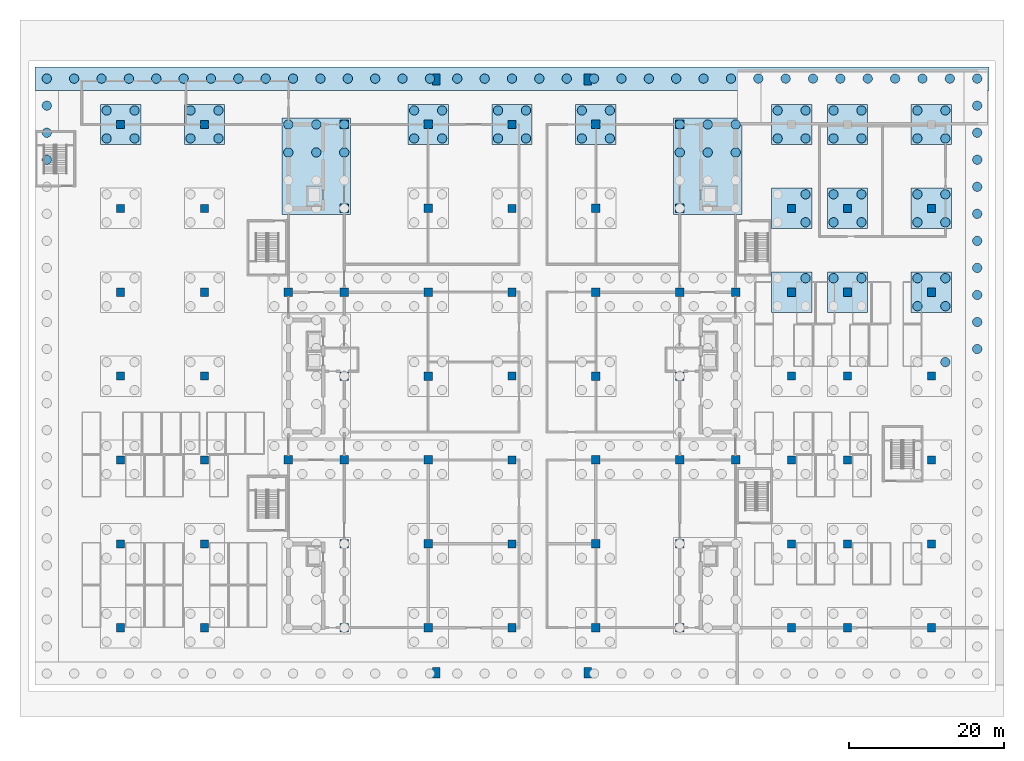
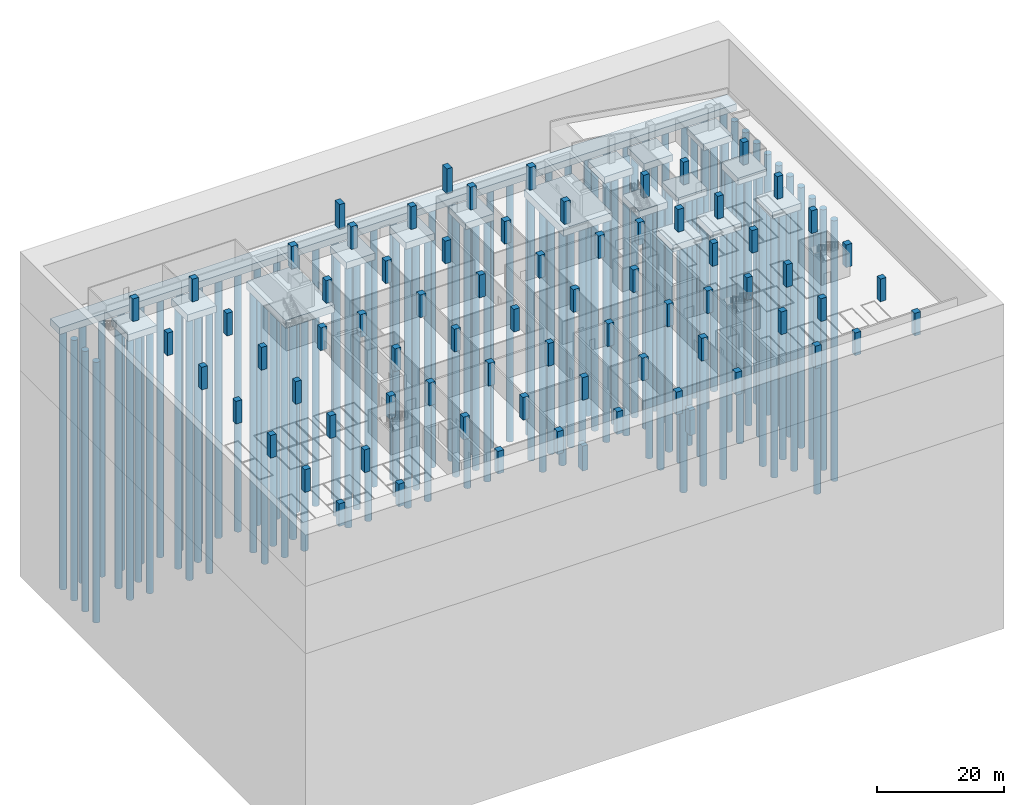
# One storey, part 3 of 18: 110 piles, 75 columns, 17 footings.
"""IFC4 building model written with IfcOpenShell, lengths in metres."""

from ifc_helpers import new_model, si_unit, direction, frame, origin, origin_2d, place, context, subcontext, project, spatial, polyline, rectangle, circle, outline, extrude, material, material_profile, profile_set, type_object, element, save


model = new_model("IFC4")

# Units and contexts
model_context = context("Model", 3, precision=1e-05, world=origin(), true_north=direction((0.0, 1.0)))
body_context = subcontext(model_context, "Body", "Model", "MODEL_VIEW")
ifc_project = project(units=[si_unit("LENGTHUNIT", "METRE"), si_unit("AREAUNIT", "SQUARE_METRE"), si_unit("VOLUMEUNIT", "CUBIC_METRE"), si_unit("PLANEANGLEUNIT", "RADIAN"), si_unit("MASSUNIT", "GRAM", prefix="KILO")], contexts=[model_context])

# Site, building, storey
site_placement = place(None, origin())
site = spatial("IfcSite", under=ifc_project, at=site_placement, CompositionType="ELEMENT")
building_placement = place(site_placement, origin())
building = spatial("IfcBuilding", under=site, at=building_placement, Name="Basin Gate Institute", CompositionType="ELEMENT")
storey_placement = place(building_placement, frame((0.0, 0.0, -9.60009765625)))
storey = spatial("IfcBuildingStorey", under=building, at=storey_placement, Name="B2", CompositionType="ELEMENT", Elevation=-9.60009765625)

# Piles
ifc_material_1 = material(Name="Concrete 35 MPa", Category="concrete")
ifc_material_profile_1 = material_profile(ifc_material_1, circle(Radius=0.60009765625, at=origin_2d()), Name="Bored pile P1 1200 dia")
ifc_profile_set_1 = profile_set([ifc_material_profile_1], Name="Concrete 35 MPa")
pile_type = type_object("IfcPileType", Name="Bored pile P1", PredefinedType="BORED", material=ifc_profile_set_1)
for number, where, z_axis, x_axis, name in (
    (1, (61.199951171875, 96.300048828125, -2.0), (0.0, 0.0, -1.0), (1.0, 0.0, 0.0), "PILE/WN/3"),
    (2, (61.199951171875, 99.89990234375, -2.0), (0.0, 0.0, -1.0), (1.0, 0.0, 0.0), "PILE/WN/4"),
    (3, (64.800048828125, 96.300048828125, -2.0), (0.0, 0.0, -1.0), (1.0, 0.0, 0.0), "PILE/WN/7"),
    (4, (64.800048828125, 99.89990234375, -2.0), (0.0, 0.0, -1.0), (1.0, 0.0, 0.0), "PILE/WN/8"),
    (5, (68.39990234375, 96.300048828125, -2.0), (0.0, 0.0, -1.0), (1.0, 0.0, 0.0), "PILE/WN/11"),
    (6, (68.39990234375, 99.89990234375, -2.0), (0.0, 0.0, -1.0), (1.0, 0.0, 0.0), "PILE/WN/12"),
    (7, (118.800048828125, 96.300048828125, -2.0), (0.0, 0.0, -1.0), (1.0, 0.0, 0.0), "PILE/EN/3"),
    (8, (118.800048828125, 99.89990234375, -2.0), (0.0, 0.0, -1.0), (1.0, 0.0, 0.0), "PILE/EN/4"),
    (9, (115.199951171875, 96.300048828125, -2.0), (0.0, 0.0, -1.0), (1.0, 0.0, 0.0), "PILE/EN/7"),
    (10, (115.199951171875, 99.89990234375, -2.0), (0.0, 0.0, -1.0), (1.0, 0.0, 0.0), "PILE/EN/8"),
    (11, (111.60009765625, 96.300048828125, -2.0), (0.0, 0.0, -1.0), (1.0, 0.0, 0.0), "PILE/EN/11"),
    (12, (111.60009765625, 99.89990234375, -2.0), (0.0, 0.0, -1.0), (1.0, 0.0, 0.0), "PILE/EN/12"),
    (13, (77.39990234375, 98.10009765625, -1.7998046875), (0.0, 0.0, -1.0), (1.0, 0.0, 0.0), "PILE/6G/1"),
    (14, (81.0, 98.10009765625, -1.7998046875), (0.0, 0.0, -1.0), (1.0, 0.0, 0.0), "PILE/6G/2"),
    (15, (77.39990234375, 101.699951171875, -1.7998046875), (0.0, 0.0, -1.0), (1.0, 0.0, 0.0), "PILE/6G/3"),
    (16, (81.0, 101.699951171875, -1.7998046875), (0.0, 0.0, -1.0), (1.0, 0.0, 0.0), "PILE/6G/4"),
    (17, (99.0, 98.10009765625, -1.7998046875), (0.0, 0.0, -1.0), (1.0, 0.0, 0.0), "PILE/7G/1"),
    (18, (102.60009765625, 98.10009765625, -1.7998046875), (0.0, 0.0, -1.0), (1.0, 0.0, 0.0), "PILE/7G/2"),
    (19, (99.0, 101.699951171875, -1.7998046875), (0.0, 0.0, -1.0), (1.0, 0.0, 0.0), "PILE/7G/3"),
    (20, (102.60009765625, 101.699951171875, -1.7998046875), (0.0, 0.0, -1.0), (1.0, 0.0, 0.0), "PILE/7G/4"),
    (21, (37.800048828125, 98.10009765625, -1.7998046875), (0.0, 0.0, -1.0), (1.0, 0.0, 0.0), "PILE/2G/1"),
    (22, (41.39990234375, 98.10009765625, -1.7998046875), (0.0, 0.0, -1.0), (1.0, 0.0, 0.0), "PILE/2G/2"),
    (23, (37.800048828125, 101.699951171875, -1.7998046875), (0.0, 0.0, -1.0), (1.0, 0.0, 0.0), "PILE/2G/3"),
    (24, (41.39990234375, 101.699951171875, -1.7998046875), (0.0, 0.0, -1.0), (1.0, 0.0, 0.0), "PILE/2G/4"),
    (25, (48.60009765625, 98.10009765625, -1.7998046875), (0.0, 0.0, -1.0), (1.0, 0.0, 0.0), "PILE/3G/1"),
    (26, (52.199951171875, 98.10009765625, -1.7998046875), (0.0, 0.0, -1.0), (1.0, 0.0, 0.0), "PILE/3G/2"),
    (27, (48.60009765625, 101.699951171875, -1.7998046875), (0.0, 0.0, -1.0), (1.0, 0.0, 0.0), "PILE/3G/3"),
    (28, (52.199951171875, 101.699951171875, -1.7998046875), (0.0, 0.0, -1.0), (1.0, 0.0, 0.0), "PILE/3G/4"),
    (29, (88.199951171875, 98.10009765625, -1.7998046875), (0.0, 0.0, -1.0), (1.0, 0.0, 0.0), "PILE/6.5G/1"),
    (30, (91.800048828125, 98.10009765625, -1.7998046875), (0.0, 0.0, -1.0), (1.0, 0.0, 0.0), "PILE/6.5G/2"),
    (31, (88.199951171875, 101.699951171875, -1.7998046875), (0.0, 0.0, -1.0), (1.0, 0.0, 0.0), "PILE/6.5G/3"),
    (32, (91.800048828125, 101.699951171875, -1.7998046875), (0.0, 0.0, -1.0), (1.0, 0.0, 0.0), "PILE/6.5G/4"),
    (33, (127.800048828125, 80.10009765625, -1.7998046875), (0.0, 0.0, -1.0), (1.0, 0.0, 0.0), "PILE/10E/4"),
    (34, (127.800048828125, 87.300048828125, -1.7998046875), (0.0, 0.0, -1.0), (1.0, 0.0, 0.0), "PILE/10F/2"),
    (35, (127.800048828125, 90.89990234375, -1.7998046875), (0.0, 0.0, -1.0), (1.0, 0.0, 0.0), "PILE/10F/4"),
    (36, (124.199951171875, 98.10009765625, -1.7998046875), (0.0, 0.0, -1.0), (1.0, 0.0, 0.0), "PILE/10G/1"),
    (37, (127.800048828125, 98.10009765625, -1.7998046875), (0.0, 0.0, -1.0), (1.0, 0.0, 0.0), "PILE/10G/2"),
    (38, (124.199951171875, 101.699951171875, -1.7998046875), (0.0, 0.0, -1.0), (1.0, 0.0, 0.0), "PILE/10G/3"),
    (39, (127.800048828125, 101.699951171875, -1.7998046875), (0.0, 0.0, -1.0), (1.0, 0.0, 0.0), "PILE/10G/4"),
    (40, (131.39990234375, 80.10009765625, -1.7998046875), (0.0, 0.0, -1.0), (1.0, 0.0, 0.0), "PILE/11E/3"),
    (41, (135.0, 80.10009765625, -1.7998046875), (0.0, 0.0, -1.0), (1.0, 0.0, 0.0), "PILE/11E/4"),
    (42, (131.39990234375, 87.300048828125, -1.7998046875), (0.0, 0.0, -1.0), (1.0, 0.0, 0.0), "PILE/11F/1"),
    (43, (135.0, 87.300048828125, -1.7998046875), (0.0, 0.0, -1.0), (1.0, 0.0, 0.0), "PILE/11F/2"),
    (44, (131.39990234375, 90.89990234375, -1.7998046875), (0.0, 0.0, -1.0), (1.0, 0.0, 0.0), "PILE/11F/3"),
    (45, (135.0, 90.89990234375, -1.7998046875), (0.0, 0.0, -1.0), (1.0, 0.0, 0.0), "PILE/11F/4"),
    (46, (131.39990234375, 98.10009765625, -1.7998046875), (0.0, 0.0, -1.0), (1.0, 0.0, 0.0), "PILE/11G/1"),
    (47, (135.0, 98.10009765625, -1.7998046875), (0.0, 0.0, -1.0), (1.0, 0.0, 0.0), "PILE/11G/2"),
    (48, (131.39990234375, 101.699951171875, -1.7998046875), (0.0, 0.0, -1.0), (1.0, 0.0, 0.0), "PILE/11G/3"),
    (49, (135.0, 101.699951171875, -1.7998046875), (0.0, 0.0, -1.0), (1.0, 0.0, 0.0), "PILE/11G/4"),
    (50, (145.800048828125, 69.300048828125, -1.7998046875), (0.0, 0.0, -1.0), (1.0, 0.0, 0.0), "PILE/E1D/4"),
    (51, (142.199951171875, 76.5, -1.7998046875), (0.0, 0.0, -1.0), (1.0, 0.0, 0.0), "PILE/E1E/1"),
    (52, (145.800048828125, 76.5, -1.7998046875), (0.0, 0.0, -1.0), (1.0, 0.0, 0.0), "PILE/E1E/2"),
    (53, (142.199951171875, 80.10009765625, -1.7998046875), (0.0, 0.0, -1.0), (1.0, 0.0, 0.0), "PILE/E1E/3"),
    (54, (145.800048828125, 80.10009765625, -1.7998046875), (0.0, 0.0, -1.0), (1.0, 0.0, 0.0), "PILE/E1E/4"),
    (55, (142.199951171875, 87.300048828125, -1.7998046875), (0.0, 0.0, -1.0), (1.0, 0.0, 0.0), "PILE/E1F/1"),
    (56, (145.800048828125, 87.300048828125, -1.7998046875), (0.0, 0.0, -1.0), (1.0, 0.0, 0.0), "PILE/E1F/2"),
    (57, (142.199951171875, 90.89990234375, -1.7998046875), (0.0, 0.0, -1.0), (1.0, 0.0, 0.0), "PILE/E1F/3"),
    (58, (145.800048828125, 90.89990234375, -1.7998046875), (0.0, 0.0, -1.0), (1.0, 0.0, 0.0), "PILE/E1F/4"),
    (59, (142.199951171875, 98.10009765625, -1.7998046875), (0.0, 0.0, -1.0), (1.0, 0.0, 0.0), "PILE/E1G/1"),
    (60, (145.800048828125, 98.10009765625, -1.7998046875), (0.0, 0.0, -1.0), (1.0, 0.0, 0.0), "PILE/E1G/2"),
    (61, (142.199951171875, 101.699951171875, -1.7998046875), (0.0, 0.0, -1.0), (1.0, 0.0, 0.0), "PILE/E1G/3"),
    (62, (145.800048828125, 101.699951171875, -1.7998046875), (0.0, 0.0, -1.0), (1.0, 0.0, 0.0), "PILE/E1G/4"),
    (63, (30.10009765625, 105.800048828125, -1.7998046875), (0.0, 0.0, -1.0), (1.0, 0.0, 0.0), "PILE/STRIP-N/1"),
    (64, (33.62353515625, 105.800048828125, -1.7998046875), (0.0, 0.0, -1.0), (1.0, 0.0, 0.0), "PILE/STRIP-N/2"),
    (65, (37.14697265625, 105.800048828125, -1.7998046875), (0.0, 0.0, -1.0), (1.0, 0.0, 0.0), "PILE/STRIP-N/3"),
    (66, (40.670654296875, 105.800048828125, -1.7998046875), (0.0, 0.0, -1.0), (1.0, 0.0, 0.0), "PILE/STRIP-N/4"),
    (67, (44.194091796875, 105.800048828125, -1.7998046875), (0.0, 0.0, -1.0), (1.0, 0.0, 0.0), "PILE/STRIP-N/5"),
    (68, (47.717529296875, 105.800048828125, -1.7998046875), (0.0, 0.0, -1.0), (1.0, 0.0, 0.0), "PILE/STRIP-N/6"),
    (69, (51.2412109375, 105.800048828125, -1.7998046875), (0.0, 0.0, -1.0), (1.0, 0.0, 0.0), "PILE/STRIP-N/7"),
    (70, (54.7646484375, 105.800048828125, -1.7998046875), (0.0, 0.0, -1.0), (1.0, 0.0, 0.0), "PILE/STRIP-N/8"),
    (71, (58.288330078125, 105.800048828125, -1.7998046875), (0.0, 0.0, -1.0), (1.0, 0.0, 0.0), "PILE/STRIP-N/9"),
    (72, (61.811767578125, 105.800048828125, -1.7998046875), (0.0, 0.0, -1.0), (1.0, 0.0, 0.0), "PILE/STRIP-N/10"),
    (73, (65.335205078125, 105.800048828125, -1.7998046875), (0.0, 0.0, -1.0), (1.0, 0.0, 0.0), "PILE/STRIP-N/11"),
    (74, (68.85888671875, 105.800048828125, -1.7998046875), (0.0, 0.0, -1.0), (1.0, 0.0, 0.0), "PILE/STRIP-N/12"),
    (75, (72.38232421875, 105.800048828125, -1.7998046875), (0.0, 0.0, -1.0), (1.0, 0.0, 0.0), "PILE/STRIP-N/13"),
    (76, (75.90576171875, 105.800048828125, -1.7998046875), (0.0, 0.0, -1.0), (1.0, 0.0, 0.0), "PILE/STRIP-N/14"),
    (77, (79.429443359375, 105.800048828125, -1.7998046875), (0.0, 0.0, -1.0), (1.0, 0.0, 0.0), "PILE/STRIP-N/15"),
    (78, (82.952880859375, 105.800048828125, -1.7998046875), (0.0, 0.0, -1.0), (1.0, 0.0, 0.0), "PILE/STRIP-N/16"),
    (79, (86.4765625, 105.800048828125, -1.7998046875), (0.0, 0.0, -1.0), (1.0, 0.0, 0.0), "PILE/STRIP-N/17"),
    (80, (90.0, 105.800048828125, -1.7998046875), (0.0, 0.0, -1.0), (1.0, 0.0, 0.0), "PILE/STRIP-N/18"),
    (81, (93.5234375, 105.800048828125, -1.7998046875), (0.0, 0.0, -1.0), (1.0, 0.0, 0.0), "PILE/STRIP-N/19"),
    (82, (97.047119140625, 105.800048828125, -1.7998046875), (0.0, 0.0, -1.0), (1.0, 0.0, 0.0), "PILE/STRIP-N/20"),
    (83, (100.570556640625, 105.800048828125, -1.7998046875), (0.0, 0.0, -1.0), (1.0, 0.0, 0.0), "PILE/STRIP-N/21"),
    (84, (104.09423828125, 105.800048828125, -1.7998046875), (0.0, 0.0, -1.0), (1.0, 0.0, 0.0), "PILE/STRIP-N/22"),
    (85, (107.61767578125, 105.800048828125, -1.7998046875), (0.0, 0.0, -1.0), (1.0, 0.0, 0.0), "PILE/STRIP-N/23"),
    (86, (111.14111328125, 105.800048828125, -1.7998046875), (0.0, 0.0, -1.0), (1.0, 0.0, 0.0), "PILE/STRIP-N/24"),
    (87, (114.664794921875, 105.800048828125, -1.7998046875), (0.0, 0.0, -1.0), (1.0, 0.0, 0.0), "PILE/STRIP-N/25"),
    (88, (118.188232421875, 105.800048828125, -1.7998046875), (0.0, 0.0, -1.0), (1.0, 0.0, 0.0), "PILE/STRIP-N/26"),
    (89, (121.711669921875, 105.800048828125, -1.7998046875), (0.0, 0.0, -1.0), (1.0, 0.0, 0.0), "PILE/STRIP-N/27"),
    (90, (125.2353515625, 105.800048828125, -1.7998046875), (0.0, 0.0, -1.0), (1.0, 0.0, 0.0), "PILE/STRIP-N/28"),
    (91, (128.7587890625, 105.800048828125, -1.7998046875), (0.0, 0.0, -1.0), (1.0, 0.0, 0.0), "PILE/STRIP-N/29"),
    (92, (132.282470703125, 105.800048828125, -1.7998046875), (0.0, 0.0, -1.0), (1.0, 0.0, 0.0), "PILE/STRIP-N/30"),
    (93, (135.805908203125, 105.800048828125, -1.7998046875), (0.0, 0.0, -1.0), (1.0, 0.0, 0.0), "PILE/STRIP-N/31"),
    (94, (139.329345703125, 105.800048828125, -1.7998046875), (0.0, 0.0, -1.0), (1.0, 0.0, 0.0), "PILE/STRIP-N/32"),
    (95, (142.85302734375, 105.800048828125, -1.7998046875), (0.0, 0.0, -1.0), (1.0, 0.0, 0.0), "PILE/STRIP-N/33"),
    (96, (146.37646484375, 105.800048828125, -1.7998046875), (0.0, 0.0, -1.0), (1.0, 0.0, 0.0), "PILE/STRIP-N/34"),
    (97, (149.89990234375, 105.800048828125, -1.7998046875), (0.0, 0.0, -1.0), (1.0, 0.0, 0.0), "PILE/STRIP-N/35"),
    (98, (30.10009765625, 95.3544921875, -1.7998046875), (0.0, 0.0, -1.0), (1.0, 0.0, 0.0), "PILE/STRIP-W/19"),
    (99, (30.10009765625, 98.83642578125, -1.7998046875), (0.0, 0.0, -1.0), (1.0, 0.0, 0.0), "PILE/STRIP-W/20"),
    (100, (30.10009765625, 102.318115234375, -1.7998046875), (0.0, 0.0, -1.0), (1.0, 0.0, 0.0), "PILE/STRIP-W/21"),
    (101, (149.89990234375, 70.98193359375, -1.7998046875), (0.0, 0.0, -1.0), (1.0, 0.0, 0.0), "PILE/STRIP-E/12"),
    (102, (149.89990234375, 74.463623046875, -1.7998046875), (0.0, 0.0, -1.0), (1.0, 0.0, 0.0), "PILE/STRIP-E/13"),
    (103, (149.89990234375, 77.945556640625, -1.7998046875), (0.0, 0.0, -1.0), (1.0, 0.0, 0.0), "PILE/STRIP-E/14"),
    (104, (149.89990234375, 81.42724609375, -1.7998046875), (0.0, 0.0, -1.0), (1.0, 0.0, 0.0), "PILE/STRIP-E/15"),
    (105, (149.89990234375, 84.9091796875, -1.7998046875), (0.0, 0.0, -1.0), (1.0, 0.0, 0.0), "PILE/STRIP-E/16"),
    (106, (149.89990234375, 88.390869140625, -1.7998046875), (0.0, 0.0, -1.0), (1.0, 0.0, 0.0), "PILE/STRIP-E/17"),
    (107, (149.89990234375, 91.872802734375, -1.7998046875), (0.0, 0.0, -1.0), (1.0, 0.0, 0.0), "PILE/STRIP-E/18"),
    (108, (149.89990234375, 95.3544921875, -1.7998046875), (0.0, 0.0, -1.0), (1.0, 0.0, 0.0), "PILE/STRIP-E/19"),
    (109, (149.89990234375, 98.83642578125, -1.7998046875), (0.0, 0.0, -1.0), (1.0, 0.0, 0.0), "PILE/STRIP-E/20"),
    (110, (149.89990234375, 102.318115234375, -1.7998046875), (0.0, 0.0, -1.0), (1.0, 0.0, 0.0), "PILE/STRIP-E/21"),
):
    element("IfcPile", number, at=place(storey_placement, frame(where, z_axis=z_axis, x_axis=x_axis)), inside=storey, type_object=pile_type, material=ifc_profile_set_1, Name=name, PredefinedType="BORED", context=body_context, shape_type="SweptSolid", body=[
        extrude(circle(Radius=0.60009765625, at=origin_2d()), origin(), (0.0, 0.0, 1.0), 50.0),
    ])

# Footings
ifc_material_2 = material(Name="Concrete 35 MPa", Category="concrete")
footing_type_1 = type_object("IfcFootingType", Name="Pile cap PC1", PredefinedType="PILE_CAP", material=ifc_material_2)
footing_1_placement = place(storey_placement, frame((0.0, 0.0, -1.7998046875)))
element("IfcFooting", 111, at=footing_1_placement, inside=storey, type_object=footing_type_1, material=ifc_material_2, Name="CAP/6G", PredefinedType="PILE_CAP", context=body_context, shape_type="SweptSolid", body=[
    extrude(outline(polyline([(76.60009765625, 97.300048828125), (81.800048828125, 97.300048828125), (81.800048828125, 102.5), (76.60009765625, 102.5), (76.60009765625, 97.300048828125)])), origin(), (0.0, 0.0, 1.0), 1.2998046875),
])
footing_2_placement = place(storey_placement, frame((0.0, 0.0, -1.7998046875)))
element("IfcFooting", 112, at=footing_2_placement, inside=storey, type_object=footing_type_1, material=ifc_material_2, Name="CAP/7G", PredefinedType="PILE_CAP", context=body_context, shape_type="SweptSolid", body=[
    extrude(outline(polyline([(98.199951171875, 97.300048828125), (103.39990234375, 97.300048828125), (103.39990234375, 102.5), (98.199951171875, 102.5), (98.199951171875, 97.300048828125)])), origin(), (0.0, 0.0, 1.0), 1.2998046875),
])
footing_3_placement = place(storey_placement, frame((0.0, 0.0, -1.7998046875)))
element("IfcFooting", 113, at=footing_3_placement, inside=storey, type_object=footing_type_1, material=ifc_material_2, Name="CAP/2G", PredefinedType="PILE_CAP", context=body_context, shape_type="SweptSolid", body=[
    extrude(outline(polyline([(37.0, 97.300048828125), (42.199951171875, 97.300048828125), (42.199951171875, 102.5), (37.0, 102.5), (37.0, 97.300048828125)])), origin(), (0.0, 0.0, 1.0), 1.2998046875),
])
footing_4_placement = place(storey_placement, frame((0.0, 0.0, -1.7998046875)))
element("IfcFooting", 114, at=footing_4_placement, inside=storey, type_object=footing_type_1, material=ifc_material_2, Name="CAP/3G", PredefinedType="PILE_CAP", context=body_context, shape_type="SweptSolid", body=[
    extrude(outline(polyline([(47.800048828125, 97.300048828125), (53.0, 97.300048828125), (53.0, 102.5), (47.800048828125, 102.5), (47.800048828125, 97.300048828125)])), origin(), (0.0, 0.0, 1.0), 1.2998046875),
])
footing_5_placement = place(storey_placement, frame((0.0, 0.0, -1.7998046875)))
element("IfcFooting", 115, at=footing_5_placement, inside=storey, type_object=footing_type_1, material=ifc_material_2, Name="CAP/6.5G", PredefinedType="PILE_CAP", context=body_context, shape_type="SweptSolid", body=[
    extrude(outline(polyline([(87.39990234375, 97.300048828125), (92.60009765625, 97.300048828125), (92.60009765625, 102.5), (87.39990234375, 102.5), (87.39990234375, 97.300048828125)])), origin(), (0.0, 0.0, 1.0), 1.2998046875),
])
footing_6_placement = place(storey_placement, frame((0.0, 0.0, -1.7998046875)))
element("IfcFooting", 116, at=footing_6_placement, inside=storey, type_object=footing_type_1, material=ifc_material_2, Name="CAP/10E", PredefinedType="PILE_CAP", context=body_context, shape_type="SweptSolid", body=[
    extrude(outline(polyline([(123.39990234375, 75.699951171875), (128.60009765625, 75.699951171875), (128.60009765625, 80.89990234375), (123.39990234375, 80.89990234375), (123.39990234375, 75.699951171875)])), origin(), (0.0, 0.0, 1.0), 1.2998046875),
])
footing_7_placement = place(storey_placement, frame((0.0, 0.0, -1.7998046875)))
element("IfcFooting", 117, at=footing_7_placement, inside=storey, type_object=footing_type_1, material=ifc_material_2, Name="CAP/10F", PredefinedType="PILE_CAP", context=body_context, shape_type="SweptSolid", body=[
    extrude(outline(polyline([(123.39990234375, 86.5), (128.60009765625, 86.5), (128.60009765625, 91.699951171875), (123.39990234375, 91.699951171875), (123.39990234375, 86.5)])), origin(), (0.0, 0.0, 1.0), 1.2998046875),
])
footing_8_placement = place(storey_placement, frame((0.0, 0.0, -1.7998046875)))
element("IfcFooting", 118, at=footing_8_placement, inside=storey, type_object=footing_type_1, material=ifc_material_2, Name="CAP/10G", PredefinedType="PILE_CAP", context=body_context, shape_type="SweptSolid", body=[
    extrude(outline(polyline([(123.39990234375, 97.300048828125), (128.60009765625, 97.300048828125), (128.60009765625, 102.5), (123.39990234375, 102.5), (123.39990234375, 97.300048828125)])), origin(), (0.0, 0.0, 1.0), 1.2998046875),
])
footing_9_placement = place(storey_placement, frame((0.0, 0.0, -1.7998046875)))
element("IfcFooting", 119, at=footing_9_placement, inside=storey, type_object=footing_type_1, material=ifc_material_2, Name="CAP/11E", PredefinedType="PILE_CAP", context=body_context, shape_type="SweptSolid", body=[
    extrude(outline(polyline([(130.60009765625, 75.699951171875), (135.800048828125, 75.699951171875), (135.800048828125, 80.89990234375), (130.60009765625, 80.89990234375), (130.60009765625, 75.699951171875)])), origin(), (0.0, 0.0, 1.0), 1.2998046875),
])
footing_10_placement = place(storey_placement, frame((0.0, 0.0, -1.7998046875)))
element("IfcFooting", 120, at=footing_10_placement, inside=storey, type_object=footing_type_1, material=ifc_material_2, Name="CAP/11F", PredefinedType="PILE_CAP", context=body_context, shape_type="SweptSolid", body=[
    extrude(outline(polyline([(130.60009765625, 86.5), (135.800048828125, 86.5), (135.800048828125, 91.699951171875), (130.60009765625, 91.699951171875), (130.60009765625, 86.5)])), origin(), (0.0, 0.0, 1.0), 1.2998046875),
])
footing_11_placement = place(storey_placement, frame((0.0, 0.0, -1.7998046875)))
element("IfcFooting", 121, at=footing_11_placement, inside=storey, type_object=footing_type_1, material=ifc_material_2, Name="CAP/11G", PredefinedType="PILE_CAP", context=body_context, shape_type="SweptSolid", body=[
    extrude(outline(polyline([(130.60009765625, 97.300048828125), (135.800048828125, 97.300048828125), (135.800048828125, 102.5), (130.60009765625, 102.5), (130.60009765625, 97.300048828125)])), origin(), (0.0, 0.0, 1.0), 1.2998046875),
])
footing_12_placement = place(storey_placement, frame((0.0, 0.0, -1.7998046875)))
element("IfcFooting", 122, at=footing_12_placement, inside=storey, type_object=footing_type_1, material=ifc_material_2, Name="CAP/E1E", PredefinedType="PILE_CAP", context=body_context, shape_type="SweptSolid", body=[
    extrude(outline(polyline([(141.39990234375, 75.699951171875), (146.60009765625, 75.699951171875), (146.60009765625, 80.89990234375), (141.39990234375, 80.89990234375), (141.39990234375, 75.699951171875)])), origin(), (0.0, 0.0, 1.0), 1.2998046875),
])
footing_13_placement = place(storey_placement, frame((0.0, 0.0, -1.7998046875)))
element("IfcFooting", 123, at=footing_13_placement, inside=storey, type_object=footing_type_1, material=ifc_material_2, Name="CAP/E1F", PredefinedType="PILE_CAP", context=body_context, shape_type="SweptSolid", body=[
    extrude(outline(polyline([(141.39990234375, 86.5), (146.60009765625, 86.5), (146.60009765625, 91.699951171875), (141.39990234375, 91.699951171875), (141.39990234375, 86.5)])), origin(), (0.0, 0.0, 1.0), 1.2998046875),
])
footing_14_placement = place(storey_placement, frame((0.0, 0.0, -1.7998046875)))
element("IfcFooting", 124, at=footing_14_placement, inside=storey, type_object=footing_type_1, material=ifc_material_2, Name="CAP/E1G", PredefinedType="PILE_CAP", context=body_context, shape_type="SweptSolid", body=[
    extrude(outline(polyline([(141.39990234375, 97.300048828125), (146.60009765625, 97.300048828125), (146.60009765625, 102.5), (141.39990234375, 102.5), (141.39990234375, 97.300048828125)])), origin(), (0.0, 0.0, 1.0), 1.2998046875),
])
ifc_material_3 = material(Name="Concrete 35 MPa", Category="concrete")
footing_type_2 = type_object("IfcFootingType", Name="Pile cap PC3", PredefinedType="PILE_CAP", material=ifc_material_3)
footing_15_placement = place(storey_placement, frame((0.0, 0.0, -2.0)))
element("IfcFooting", 125, at=footing_15_placement, inside=storey, type_object=footing_type_2, material=ifc_material_3, Name="CAP/WN", PredefinedType="PILE_CAP", context=body_context, shape_type="SweptSolid", body=[
    extrude(outline(polyline([(60.39990234375, 88.300048828125), (69.199951171875, 88.300048828125), (69.199951171875, 100.699951171875), (60.39990234375, 100.699951171875), (60.39990234375, 88.300048828125)])), origin(), (0.0, 0.0, 1.0), 1.5),
])
footing_16_placement = place(storey_placement, frame((0.0, 0.0, -2.0)))
element("IfcFooting", 126, at=footing_16_placement, inside=storey, type_object=footing_type_2, material=ifc_material_3, Name="CAP/EN", PredefinedType="PILE_CAP", context=body_context, shape_type="SweptSolid", body=[
    extrude(outline(polyline([(110.800048828125, 88.300048828125), (119.60009765625, 88.300048828125), (119.60009765625, 100.699951171875), (110.800048828125, 100.699951171875), (110.800048828125, 88.300048828125)])), origin(), (0.0, 0.0, 1.0), 1.5),
])
ifc_material_4 = material(Name="Concrete 35 MPa", Category="concrete")
footing_type_3 = type_object("IfcFootingType", Name="Strip footing SF1", PredefinedType="STRIP_FOOTING", material=ifc_material_4)
footing_17_placement = place(storey_placement, frame((0.0, 0.0, -1.7998046875)))
element("IfcFooting", 127, at=footing_17_placement, inside=storey, type_object=footing_type_3, material=ifc_material_4, Name="STRIP/N", PredefinedType="STRIP_FOOTING", context=body_context, shape_type="SweptSolid", body=[
    extrude(outline(polyline([(28.60009765625, 104.300048828125), (151.39990234375, 104.300048828125), (151.39990234375, 107.300048828125), (28.60009765625, 107.300048828125), (28.60009765625, 104.300048828125)])), origin(), (0.0, 0.0, 1.0), 1.2998046875),
])

# Columns
ifc_material_5 = material(Name="Concrete 60 MPa", Category="concrete")
ifc_material_profile_2 = material_profile(ifc_material_5, rectangle(XDim=1.10009765625, YDim=1.10009765625, at=origin_2d()), Name="Column C1 1100 x 1100")
ifc_profile_set_2 = profile_set([ifc_material_profile_2], Name="Concrete 60 MPa")
column_type_1 = type_object("IfcColumnType", Name="Column C1 R180", PredefinedType="COLUMN", material=ifc_profile_set_2)
for number, where, z_axis, x_axis, name in (
    (128, (61.199951171875, 56.699951171875, 0.0), (0.0, 0.0, 1.0), (1.0, 0.0, 0.0), "COL/B2/4C"),
    (129, (61.199951171875, 78.300048828125, 0.0), (0.0, 0.0, 1.0), (1.0, 0.0, 0.0), "COL/B2/4E"),
    (130, (68.39990234375, 35.10009765625, 0.0), (0.0, 0.0, 1.0), (1.0, 0.0, 0.0), "COL/B2/5A"),
    (131, (68.39990234375, 45.89990234375, 0.0), (0.0, 0.0, 1.0), (1.0, 0.0, 0.0), "COL/B2/5B"),
    (132, (68.39990234375, 56.699951171875, 0.0), (0.0, 0.0, 1.0), (1.0, 0.0, 0.0), "COL/B2/5C"),
    (133, (68.39990234375, 67.5, 0.0), (0.0, 0.0, 1.0), (1.0, 0.0, 0.0), "COL/B2/5D"),
    (134, (68.39990234375, 78.300048828125, 0.0), (0.0, 0.0, 1.0), (1.0, 0.0, 0.0), "COL/B2/5E"),
    (135, (68.39990234375, 89.10009765625, 0.0), (0.0, 0.0, 1.0), (1.0, 0.0, 0.0), "COL/B2/5F"),
    (136, (68.39990234375, 99.89990234375, 0.0), (0.0, 0.0, 1.0), (1.0, 0.0, 0.0), "COL/B2/5G"),
    (137, (79.199951171875, 35.10009765625, 0.0), (0.0, 0.0, 1.0), (1.0, 0.0, 0.0), "COL/B2/6A"),
    (138, (79.199951171875, 45.89990234375, 0.0), (0.0, 0.0, 1.0), (1.0, 0.0, 0.0), "COL/B2/6B"),
    (139, (79.199951171875, 56.699951171875, 0.0), (0.0, 0.0, 1.0), (1.0, 0.0, 0.0), "COL/B2/6C"),
    (140, (79.199951171875, 67.5, 0.0), (0.0, 0.0, 1.0), (1.0, 0.0, 0.0), "COL/B2/6D"),
    (141, (79.199951171875, 78.300048828125, 0.0), (0.0, 0.0, 1.0), (1.0, 0.0, 0.0), "COL/B2/6E"),
    (142, (79.199951171875, 89.10009765625, 0.0), (0.0, 0.0, 1.0), (1.0, 0.0, 0.0), "COL/B2/6F"),
    (143, (79.199951171875, 99.89990234375, 0.0), (0.0, 0.0, 1.0), (1.0, 0.0, 0.0), "COL/B2/6G"),
    (144, (118.800048828125, 56.699951171875, 0.0), (0.0, 0.0, 1.0), (1.0, 0.0, 0.0), "COL/B2/9C"),
    (145, (118.800048828125, 78.300048828125, 0.0), (0.0, 0.0, 1.0), (1.0, 0.0, 0.0), "COL/B2/9E"),
    (146, (111.60009765625, 35.10009765625, 0.0), (0.0, 0.0, 1.0), (1.0, 0.0, 0.0), "COL/B2/8A"),
    (147, (111.60009765625, 45.89990234375, 0.0), (0.0, 0.0, 1.0), (1.0, 0.0, 0.0), "COL/B2/8B"),
    (148, (111.60009765625, 56.699951171875, 0.0), (0.0, 0.0, 1.0), (1.0, 0.0, 0.0), "COL/B2/8C"),
    (149, (111.60009765625, 67.5, 0.0), (0.0, 0.0, 1.0), (1.0, 0.0, 0.0), "COL/B2/8D"),
    (150, (111.60009765625, 78.300048828125, 0.0), (0.0, 0.0, 1.0), (1.0, 0.0, 0.0), "COL/B2/8E"),
    (151, (111.60009765625, 89.10009765625, 0.0), (0.0, 0.0, 1.0), (1.0, 0.0, 0.0), "COL/B2/8F"),
    (152, (111.60009765625, 99.89990234375, 0.0), (0.0, 0.0, 1.0), (1.0, 0.0, 0.0), "COL/B2/8G"),
    (153, (100.800048828125, 35.10009765625, 0.0), (0.0, 0.0, 1.0), (1.0, 0.0, 0.0), "COL/B2/7A"),
    (154, (100.800048828125, 45.89990234375, 0.0), (0.0, 0.0, 1.0), (1.0, 0.0, 0.0), "COL/B2/7B"),
    (155, (100.800048828125, 56.699951171875, 0.0), (0.0, 0.0, 1.0), (1.0, 0.0, 0.0), "COL/B2/7C"),
    (156, (100.800048828125, 67.5, 0.0), (0.0, 0.0, 1.0), (1.0, 0.0, 0.0), "COL/B2/7D"),
    (157, (100.800048828125, 78.300048828125, 0.0), (0.0, 0.0, 1.0), (1.0, 0.0, 0.0), "COL/B2/7E"),
    (158, (100.800048828125, 89.10009765625, 0.0), (0.0, 0.0, 1.0), (1.0, 0.0, 0.0), "COL/B2/7F"),
    (159, (100.800048828125, 99.89990234375, 0.0), (0.0, 0.0, 1.0), (1.0, 0.0, 0.0), "COL/B2/7G"),
):
    element("IfcColumn", number, at=place(storey_placement, frame(where, z_axis=z_axis, x_axis=x_axis)), inside=storey, type_object=column_type_1, material=ifc_profile_set_2, Name=name, PredefinedType="COLUMN", context=body_context, shape_type="SweptSolid", body=[
        extrude(rectangle(XDim=1.10009765625, YDim=1.10009765625, at=origin_2d()), origin(), (0.0, 0.0, 1.0), 4.35009765625),
    ])
ifc_material_6 = material(Name="Concrete 60 MPa", Category="concrete")
ifc_material_profile_3 = material_profile(ifc_material_6, rectangle(XDim=1.050048828125, YDim=1.050048828125, at=origin_2d()), Name="Column C5 1050 x 1050")
ifc_profile_set_3 = profile_set([ifc_material_profile_3], Name="Concrete 60 MPa")
column_type_2 = type_object("IfcColumnType", Name="Column C5 R180", PredefinedType="COLUMN", material=ifc_profile_set_3)
for number, where, z_axis, x_axis, name in (
    (160, (39.60009765625, 35.10009765625, 0.0), (0.0, 0.0, 1.0), (1.0, 0.0, 0.0), "COL/B2/2A"),
    (161, (39.60009765625, 45.89990234375, 0.0), (0.0, 0.0, 1.0), (1.0, 0.0, 0.0), "COL/B2/2B"),
    (162, (39.60009765625, 56.699951171875, 0.0), (0.0, 0.0, 1.0), (1.0, 0.0, 0.0), "COL/B2/2C"),
    (163, (39.60009765625, 67.5, 0.0), (0.0, 0.0, 1.0), (1.0, 0.0, 0.0), "COL/B2/2D"),
    (164, (39.60009765625, 78.300048828125, 0.0), (0.0, 0.0, 1.0), (1.0, 0.0, 0.0), "COL/B2/2E"),
    (165, (39.60009765625, 89.10009765625, 0.0), (0.0, 0.0, 1.0), (1.0, 0.0, 0.0), "COL/B2/2F"),
    (166, (39.60009765625, 99.89990234375, 0.0), (0.0, 0.0, 1.0), (1.0, 0.0, 0.0), "COL/B2/2G"),
    (167, (50.39990234375, 35.10009765625, 0.0), (0.0, 0.0, 1.0), (1.0, 0.0, 0.0), "COL/B2/3A"),
    (168, (50.39990234375, 45.89990234375, 0.0), (0.0, 0.0, 1.0), (1.0, 0.0, 0.0), "COL/B2/3B"),
    (169, (50.39990234375, 56.699951171875, 0.0), (0.0, 0.0, 1.0), (1.0, 0.0, 0.0), "COL/B2/3C"),
    (170, (50.39990234375, 67.5, 0.0), (0.0, 0.0, 1.0), (1.0, 0.0, 0.0), "COL/B2/3D"),
    (171, (50.39990234375, 78.300048828125, 0.0), (0.0, 0.0, 1.0), (1.0, 0.0, 0.0), "COL/B2/3E"),
    (172, (50.39990234375, 89.10009765625, 0.0), (0.0, 0.0, 1.0), (1.0, 0.0, 0.0), "COL/B2/3F"),
    (173, (50.39990234375, 99.89990234375, 0.0), (0.0, 0.0, 1.0), (1.0, 0.0, 0.0), "COL/B2/3G"),
    (174, (90.0, 35.10009765625, 0.0), (0.0, 0.0, 1.0), (1.0, 0.0, 0.0), "COL/B2/6.5A"),
    (175, (90.0, 45.89990234375, 0.0), (0.0, 0.0, 1.0), (1.0, 0.0, 0.0), "COL/B2/6.5B"),
    (176, (90.0, 56.699951171875, 0.0), (0.0, 0.0, 1.0), (1.0, 0.0, 0.0), "COL/B2/6.5C"),
    (177, (90.0, 67.5, 0.0), (0.0, 0.0, 1.0), (1.0, 0.0, 0.0), "COL/B2/6.5D"),
    (178, (90.0, 78.300048828125, 0.0), (0.0, 0.0, 1.0), (1.0, 0.0, 0.0), "COL/B2/6.5E"),
    (179, (90.0, 89.10009765625, 0.0), (0.0, 0.0, 1.0), (1.0, 0.0, 0.0), "COL/B2/6.5F"),
    (180, (90.0, 99.89990234375, 0.0), (0.0, 0.0, 1.0), (1.0, 0.0, 0.0), "COL/B2/6.5G"),
    (181, (126.0, 35.10009765625, 0.0), (0.0, 0.0, 1.0), (1.0, 0.0, 0.0), "COL/B2/10A"),
    (182, (126.0, 45.89990234375, 0.0), (0.0, 0.0, 1.0), (1.0, 0.0, 0.0), "COL/B2/10B"),
    (183, (126.0, 56.699951171875, 0.0), (0.0, 0.0, 1.0), (1.0, 0.0, 0.0), "COL/B2/10C"),
    (184, (126.0, 67.5, 0.0), (0.0, 0.0, 1.0), (1.0, 0.0, 0.0), "COL/B2/10D"),
    (185, (126.0, 78.300048828125, 0.0), (0.0, 0.0, 1.0), (1.0, 0.0, 0.0), "COL/B2/10E"),
    (186, (126.0, 89.10009765625, 0.0), (0.0, 0.0, 1.0), (1.0, 0.0, 0.0), "COL/B2/10F"),
    (187, (133.199951171875, 35.10009765625, 0.0), (0.0, 0.0, 1.0), (1.0, 0.0, 0.0), "COL/B2/11A"),
    (188, (133.199951171875, 45.89990234375, 0.0), (0.0, 0.0, 1.0), (1.0, 0.0, 0.0), "COL/B2/11B"),
    (189, (133.199951171875, 56.699951171875, 0.0), (0.0, 0.0, 1.0), (1.0, 0.0, 0.0), "COL/B2/11C"),
    (190, (133.199951171875, 67.5, 0.0), (0.0, 0.0, 1.0), (1.0, 0.0, 0.0), "COL/B2/11D"),
    (191, (133.199951171875, 78.300048828125, 0.0), (0.0, 0.0, 1.0), (1.0, 0.0, 0.0), "COL/B2/11E"),
    (192, (133.199951171875, 89.10009765625, 0.0), (0.0, 0.0, 1.0), (1.0, 0.0, 0.0), "COL/B2/11F"),
    (193, (144.0, 35.10009765625, 0.0), (0.0, 0.0, 1.0), (1.0, 0.0, 0.0), "COL/B2/E1A"),
    (194, (144.0, 45.89990234375, 0.0), (0.0, 0.0, 1.0), (1.0, 0.0, 0.0), "COL/B2/E1B"),
    (195, (144.0, 56.699951171875, 0.0), (0.0, 0.0, 1.0), (1.0, 0.0, 0.0), "COL/B2/E1C"),
    (196, (144.0, 67.5, 0.0), (0.0, 0.0, 1.0), (1.0, 0.0, 0.0), "COL/B2/E1D"),
    (197, (144.0, 78.300048828125, 0.0), (0.0, 0.0, 1.0), (1.0, 0.0, 0.0), "COL/B2/E1E"),
    (198, (144.0, 89.10009765625, 0.0), (0.0, 0.0, 1.0), (1.0, 0.0, 0.0), "COL/B2/E1F"),
):
    element("IfcColumn", number, at=place(storey_placement, frame(where, z_axis=z_axis, x_axis=x_axis)), inside=storey, type_object=column_type_2, material=ifc_profile_set_3, Name=name, PredefinedType="COLUMN", context=body_context, shape_type="SweptSolid", body=[
        extrude(rectangle(XDim=1.050048828125, YDim=1.050048828125, at=origin_2d()), origin(), (0.0, 0.0, 1.0), 4.35009765625),
    ])
ifc_material_7 = material(Name="Concrete 40 MPa", Category="concrete")
ifc_material_profile_4 = material_profile(ifc_material_7, rectangle(XDim=1.0, YDim=1.39990234375, at=origin_2d()), Name="Shell portal column SC1 1000 x 1400")
ifc_profile_set_4 = profile_set([ifc_material_profile_4], Name="Concrete 40 MPa")
column_type_3 = type_object("IfcColumnType", Name="Shell portal column SC1 R180", PredefinedType="COLUMN", material=ifc_profile_set_4)
for number, where, z_axis, x_axis, name in (
    (199, (80.25, 29.300048828125, 0.0), (0.0, 0.0, 1.0), (1.0, 0.0, 0.0), "Atrium shell portal column R180 SW B2"),
    (200, (99.75, 29.300048828125, 0.0), (0.0, 0.0, 1.0), (1.0, 0.0, 0.0), "Atrium shell portal column R180 SE B2"),
    (201, (80.25, 105.699951171875, 0.0), (0.0, 0.0, 1.0), (1.0, 0.0, 0.0), "Atrium shell portal column R180 NW B2"),
    (202, (99.75, 105.699951171875, 0.0), (0.0, 0.0, 1.0), (1.0, 0.0, 0.0), "Atrium shell portal column R180 NE B2"),
):
    element("IfcColumn", number, at=place(storey_placement, frame(where, z_axis=z_axis, x_axis=x_axis)), inside=storey, type_object=column_type_3, material=ifc_profile_set_4, Name=name, PredefinedType="COLUMN", context=body_context, shape_type="SweptSolid", body=[
        extrude(rectangle(XDim=1.0, YDim=1.39990234375, at=origin_2d()), origin(), (0.0, 0.0, 1.0), 4.800048828125),
    ])

save(model, "model.ifc")
